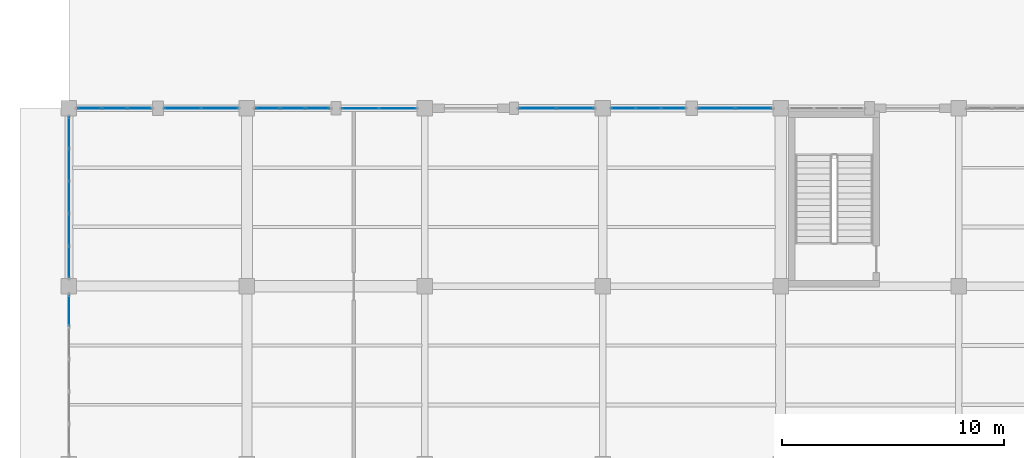
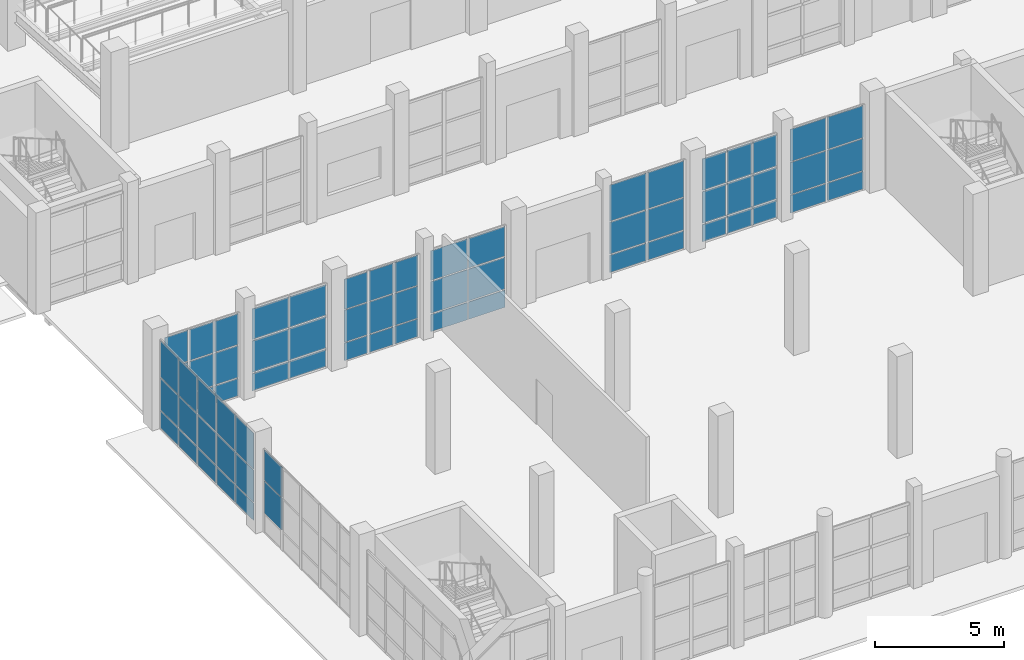
# One storey, part 103 of 156: 68 plates, 9 elements without a shape of their own.
"""IFC4 building model written with IfcOpenShell, lengths in metres."""

import ifcopenshell
import ifcopenshell.guid

model = None  # the IFC model being written
_history = None  # IfcOwnerHistory: only IFC2X3 demands one
_inside = {}  # id of a spatial element -> (the spatial element, [elements in it])
_under = {}  # id of a project, library or spatial element -> (it, [spatial elements below it])
_declared = {}  # id of a project -> (the project, [libraries it declares])
_typed = {}  # id of a type object -> (the type object, [elements of that type])
_made_of = {}  # id of a material, layer set ... -> (it, [elements and type objects made of it])


def new_model(schema):
    """Start an empty IFC model of exactly this schema.

    Asked for "IFC4X3", IfcOpenShell would pick the latest addendum, in which some entities
    have other attributes; the version numbers below select the first issue.
    IFC2X3 requires an IfcOwnerHistory on every rooted entity: one is made here for all.
    """
    global model, _history
    if schema == "IFC4X3":
        model = ifcopenshell.file(schema_version=(4, 3, 0, 0))
    else:
        model = ifcopenshell.file(schema=schema)
    _inside.clear()
    _under.clear()
    _declared.clear()
    _typed.clear()
    _made_of.clear()
    _history = None
    if model.schema == "IFC2X3":
        org = make("IfcOrganization", Name="unknown")
        user = make(
            "IfcPersonAndOrganization",
            ThePerson=make("IfcPerson", FamilyName="unknown"),
            TheOrganization=org,
        )
        app = make(
            "IfcApplication",
            ApplicationDeveloper=org,
            Version="unknown",
            ApplicationFullName="unknown",
            ApplicationIdentifier="unknown",
        )
        _history = make(
            "IfcOwnerHistory",
            OwningUser=user,
            OwningApplication=app,
            ChangeAction="ADDED",
            CreationDate=0,
        )
    return model


def make(cls, **values):
    """One entity of the class cls with the attributes given. An attribute that is None is left unset."""
    return model.create_entity(
        cls, **{name: value for name, value in values.items() if value is not None}
    )


def rooted(cls, **values):
    """An entity with a GlobalId (a new one), such as an element, a storey or a relation."""
    return make(cls, GlobalId=ifcopenshell.guid.new(), OwnerHistory=_history, **values)


def si_unit(unit_type, name, prefix=None):
    """IfcSIUnit, for example si_unit("LENGTHUNIT", "METRE", prefix="MILLI")."""
    return make("IfcSIUnit", UnitType=unit_type, Prefix=prefix, Name=name)


def assignment(units):
    """IfcUnitAssignment: the units of a project."""
    return None if units is None else make("IfcUnitAssignment", Units=units)


def point(xyz):
    """IfcCartesianPoint."""
    return None if xyz is None else make("IfcCartesianPoint", Coordinates=xyz)


def direction(xyz):
    """IfcDirection."""
    return None if xyz is None else make("IfcDirection", DirectionRatios=xyz)


def frame(location, z_axis=None, x_axis=None):
    """IfcAxis2Placement3D, a coordinate frame: its origin and axes. An axis left out is left unset."""
    return make(
        "IfcAxis2Placement3D",
        Location=point(location),
        Axis=direction(z_axis),
        RefDirection=direction(x_axis),
    )


def frame_2d(location, x_axis=None):
    """IfcAxis2Placement2D, a coordinate frame in the plane: its origin and x axis."""
    return make(
        "IfcAxis2Placement2D", Location=point(location), RefDirection=direction(x_axis)
    )


def origin():
    """The frame at (0, 0, 0) with its axes left unset."""
    return frame((0.0, 0.0, 0.0))


def origin_2d():
    """The frame at (0, 0) in the plane with its x axis left unset."""
    return frame_2d((0.0, 0.0))


def place(relative_to, where):
    """IfcLocalPlacement: puts the frame where relative to a parent placement (None: the world)."""
    return make(
        "IfcLocalPlacement", PlacementRelTo=relative_to, RelativePlacement=where
    )


def context(
    kind, dimensions, precision=None, world=None, true_north=None, identifier=None
):
    """IfcGeometricRepresentationContext, for example the 3D "Model" context."""
    return make(
        "IfcGeometricRepresentationContext",
        ContextIdentifier=identifier,
        ContextType=kind,
        CoordinateSpaceDimension=dimensions,
        Precision=precision,
        WorldCoordinateSystem=world,
        TrueNorth=true_north,
    )


def subcontext(parent, identifier, kind, view, scale=None):
    """IfcGeometricRepresentationSubContext, for example "Body" below "Model"."""
    return make(
        "IfcGeometricRepresentationSubContext",
        ContextIdentifier=identifier,
        ContextType=kind,
        ParentContext=parent,
        TargetScale=scale,
        TargetView=view,
    )


def project(units=None, contexts=None):
    """IfcProject with its units and contexts."""
    return rooted(
        "IfcProject",
        Name="project",
        RepresentationContexts=contexts,
        UnitsInContext=assignment(units),
    )


def spatial(cls, under=None, at=None, **own):
    """A site, building, storey or space (cls), placed at a placement, below another one or the project."""
    s = rooted(cls, ObjectPlacement=at, **own)
    if under is not None:
        _under.setdefault(under.id(), (under, []))[1].append(s)
    return s


def profile(cls, at=None, kind="AREA", **sizes):
    """A parametric profile (cls). Its sizes go by their IFC names, for example OverallWidth=200.0."""
    return make(cls, ProfileType=kind, Position=at, **sizes)


def rectangle(**sizes):
    """IfcRectangleProfileDef."""
    return profile("IfcRectangleProfileDef", **sizes)


def extrude(swept, where, along, depth):
    """IfcExtrudedAreaSolid: the profile swept, set in the frame where, extruded along a direction by depth."""
    return make(
        "IfcExtrudedAreaSolid",
        SweptArea=swept,
        Position=where,
        ExtrudedDirection=direction(along),
        Depth=depth,
    )


def shape(context_of_items, identifier, shape_type, items):
    """IfcShapeRepresentation: the items that make up one representation, for example the "Body"."""
    return make(
        "IfcShapeRepresentation",
        ContextOfItems=context_of_items,
        RepresentationIdentifier=identifier,
        RepresentationType=shape_type,
        Items=items,
    )


def material(Name=None, Category=None):
    """IfcMaterial."""
    return make("IfcMaterial", Name=Name, Category=Category)


def layer(
    of_material, thickness, ventilated=None, Name=None, Category=None, Priority=None
):
    """IfcMaterialLayer: one layer of a wall or slab, of a material (None: an air gap)."""
    return make(
        "IfcMaterialLayer",
        Material=of_material,
        LayerThickness=thickness,
        IsVentilated=ventilated,
        Name=Name,
        Category=Category,
        Priority=Priority,
    )


def layer_set(layers, Name=None):
    """IfcMaterialLayerSet."""
    return make("IfcMaterialLayerSet", MaterialLayers=layers, LayerSetName=Name)


def made_of(thing, what):
    """Note that an element or type object is made of a material, layer set ...; save() writes the relation."""
    if what is not None:
        _made_of.setdefault(what.id(), (what, []))[1].append(thing)
    return thing


def type_object(cls, material=None, **own):
    """A type object (cls), such as IfcWallType, which elements share."""
    return made_of(rooted(cls, **own), material)


def element(
    cls,
    number,
    at=None,
    inside=None,
    cuts=None,
    type_object=None,
    material=None,
    context=None,
    identifier="Body",
    shape_type=None,
    held_by="IfcProductDefinitionShape",
    body=None,
    shapes=None,
    **own,
):
    """One element of the class cls, such as IfcWall. Its Tag is "e" and its number.

    at: its placement. inside: the storey or other place that contains it. cuts: it is an
    opening in that element (IfcRelVoidsElement). A single representation is given by context,
    identifier, shape_type and body (its items); several are given by shapes. held_by: the class
    of the entity that holds the representations. save() writes the other relations.
    """
    e = rooted(cls, Tag="e%d" % number, ObjectPlacement=at, **own)
    if body is not None:
        shapes = [shape(context, identifier, shape_type, body)]
    if shapes is not None:
        e.Representation = make(held_by, Representations=shapes)
    if inside is not None:
        _inside.setdefault(inside.id(), (inside, []))[1].append(e)
    if cuts is not None:
        rooted(
            "IfcRelVoidsElement", RelatingBuildingElement=cuts, RelatedOpeningElement=e
        )
    if type_object is not None:
        _typed.setdefault(type_object.id(), (type_object, []))[1].append(e)
    return made_of(e, material)


def aggregate(whole, parts):
    """IfcRelAggregates: a whole, such as a stair, and the parts it consists of."""
    return rooted("IfcRelAggregates", RelatingObject=whole, RelatedObjects=parts)


def save(model, path):
    """Write the relations noted so far, then the file.

    IfcRelAggregates (storeys below a building ...), IfcRelContainedInSpatialStructure (elements
    in a storey), IfcRelDefinesByType, IfcRelAssociatesMaterial and IfcRelDeclares: one each for
    every whole, place, type object, material and project.
    """
    for whole, parts in _under.values():
        aggregate(whole, parts)
    for where, things in _inside.values():
        rooted(
            "IfcRelContainedInSpatialStructure",
            RelatedElements=things,
            RelatingStructure=where,
        )
    for kind, things in _typed.values():
        rooted("IfcRelDefinesByType", RelatedObjects=things, RelatingType=kind)
    for what, things in _made_of.values():
        rooted("IfcRelAssociatesMaterial", RelatedObjects=things, RelatingMaterial=what)
    for by, libraries in _declared.values():
        rooted("IfcRelDeclares", RelatingContext=by, RelatedDefinitions=libraries)
    model.write(path)


model = new_model("IFC4")

# Units and contexts
model_context = context("Model", 3, precision=1e-05, world=origin(), true_north=direction((0.0, 1.0)))
body_context = subcontext(model_context, "Body", "Model", "MODEL_VIEW")
ifc_project = project(units=[si_unit("LENGTHUNIT", "METRE"), si_unit("AREAUNIT", "SQUARE_METRE"), si_unit("VOLUMEUNIT", "CUBIC_METRE"), si_unit("PLANEANGLEUNIT", "RADIAN"), si_unit("MASSUNIT", "GRAM", prefix="KILO")], contexts=[model_context])

# Site, building, storey
site_placement = place(None, origin())
site = spatial("IfcSite", under=ifc_project, at=site_placement, CompositionType="ELEMENT")
building_placement = place(site_placement, origin())
building = spatial("IfcBuilding", under=site, at=building_placement, Name="Luwemba Playhouse", CompositionType="ELEMENT")
storey_placement = place(building_placement, origin())
storey = spatial("IfcBuildingStorey", under=building, at=storey_placement, Name="L00", CompositionType="ELEMENT", Elevation=0.0)

# Curtain wall, plates
ifc_material = material(Name="Solar-control double glazing", Category="glass")
curtain_wall_type_1 = type_object("IfcCurtainWallType", Name="CW-CW25", PredefinedType="USERDEFINED", material=ifc_material)
curtain_wall_1_placement = place(storey_placement, origin())
curtain_wall_1 = element("IfcCurtainWall", 1, at=curtain_wall_1_placement, inside=storey, type_object=curtain_wall_type_1, Name="L00 V5W unitised curtain wall 027", ObjectType="UNITISED GLAZING", PredefinedType="USERDEFINED")
ifc_layer_1 = layer(ifc_material, 0.02392578125)
ifc_layer_set_1 = layer_set([ifc_layer_1], Name="Solar-control double glazing")
plate_type_1 = type_object("IfcPlateType", Name="CWP-P1", PredefinedType="CURTAIN_PANEL", material=ifc_layer_set_1)
plate_1_placement = place(storey_placement, frame((4.0, 20.094970703125, 0.06005859375), z_axis=(0.0, 0.0, 1.0), x_axis=(0.0, 1.0, 0.0)))
plate_1 = element("IfcPlate", 2, at=plate_1_placement, type_object=plate_type_1, Name="CW25 panel 1.1", PredefinedType="CURTAIN_PANEL", context=body_context, shape_type="SweptSolid", body=[
    extrude(rectangle(XDim=1.3701171875, YDim=0.02392578125, at=origin_2d()), origin(), (0.0, 0.0, 1.0), 0.81005859375),
])
plate_2_placement = place(storey_placement, frame((4.0, 20.094970703125, 0.93017578125), z_axis=(0.0, 0.0, 1.0), x_axis=(0.0, 1.0, 0.0)))
plate_2 = element("IfcPlate", 3, at=plate_2_placement, type_object=plate_type_1, Name="CW25 panel 1.2", PredefinedType="CURTAIN_PANEL", context=body_context, shape_type="SweptSolid", body=[
    extrude(rectangle(XDim=1.3701171875, YDim=0.02392578125, at=origin_2d()), origin(), (0.0, 0.0, 1.0), 1.489990234375),
])
plate_3_placement = place(storey_placement, frame((4.0, 20.094970703125, 2.47998046875), z_axis=(0.0, 0.0, 1.0), x_axis=(0.0, 1.0, 0.0)))
plate_3 = element("IfcPlate", 4, at=plate_3_placement, type_object=plate_type_1, Name="CW25 panel 1.3", PredefinedType="CURTAIN_PANEL", context=body_context, shape_type="SweptSolid", body=[
    extrude(rectangle(XDim=1.3701171875, YDim=0.02392578125, at=origin_2d()), origin(), (0.0, 0.0, 1.0), 1.695068359375),
])
plate_4_placement = place(storey_placement, frame((4.0, 21.5400390625, 0.06005859375), z_axis=(0.0, 0.0, 1.0), x_axis=(0.0, 1.0, 0.0)))
plate_4 = element("IfcPlate", 5, at=plate_4_placement, type_object=plate_type_1, Name="CW25 panel 2.1", PredefinedType="CURTAIN_PANEL", context=body_context, shape_type="SweptSolid", body=[
    extrude(rectangle(XDim=1.39990234375, YDim=0.02392578125, at=origin_2d()), origin(), (0.0, 0.0, 1.0), 0.81005859375),
])
plate_5_placement = place(storey_placement, frame((4.0, 21.5400390625, 0.93017578125), z_axis=(0.0, 0.0, 1.0), x_axis=(0.0, 1.0, 0.0)))
plate_5 = element("IfcPlate", 6, at=plate_5_placement, type_object=plate_type_1, Name="CW25 panel 2.2", PredefinedType="CURTAIN_PANEL", context=body_context, shape_type="SweptSolid", body=[
    extrude(rectangle(XDim=1.39990234375, YDim=0.02392578125, at=origin_2d()), origin(), (0.0, 0.0, 1.0), 1.489990234375),
])
plate_6_placement = place(storey_placement, frame((4.0, 21.5400390625, 2.47998046875), z_axis=(0.0, 0.0, 1.0), x_axis=(0.0, 1.0, 0.0)))
plate_6 = element("IfcPlate", 7, at=plate_6_placement, type_object=plate_type_1, Name="CW25 panel 2.3", PredefinedType="CURTAIN_PANEL", context=body_context, shape_type="SweptSolid", body=[
    extrude(rectangle(XDim=1.39990234375, YDim=0.02392578125, at=origin_2d()), origin(), (0.0, 0.0, 1.0), 1.695068359375),
])
plate_7_placement = place(storey_placement, frame((4.0, 23.0, 0.06005859375), z_axis=(0.0, 0.0, 1.0), x_axis=(0.0, 1.0, 0.0)))
plate_7 = element("IfcPlate", 8, at=plate_7_placement, type_object=plate_type_1, Name="CW25 panel 3.1", PredefinedType="CURTAIN_PANEL", context=body_context, shape_type="SweptSolid", body=[
    extrude(rectangle(XDim=1.39990234375, YDim=0.02392578125, at=origin_2d()), origin(), (0.0, 0.0, 1.0), 0.81005859375),
])
plate_8_placement = place(storey_placement, frame((4.0, 23.0, 0.93017578125), z_axis=(0.0, 0.0, 1.0), x_axis=(0.0, 1.0, 0.0)))
plate_8 = element("IfcPlate", 9, at=plate_8_placement, type_object=plate_type_1, Name="CW25 panel 3.2", PredefinedType="CURTAIN_PANEL", context=body_context, shape_type="SweptSolid", body=[
    extrude(rectangle(XDim=1.39990234375, YDim=0.02392578125, at=origin_2d()), origin(), (0.0, 0.0, 1.0), 1.489990234375),
])
plate_9_placement = place(storey_placement, frame((4.0, 23.0, 2.47998046875), z_axis=(0.0, 0.0, 1.0), x_axis=(0.0, 1.0, 0.0)))
plate_9 = element("IfcPlate", 10, at=plate_9_placement, type_object=plate_type_1, Name="CW25 panel 3.3", PredefinedType="CURTAIN_PANEL", context=body_context, shape_type="SweptSolid", body=[
    extrude(rectangle(XDim=1.39990234375, YDim=0.02392578125, at=origin_2d()), origin(), (0.0, 0.0, 1.0), 1.695068359375),
])
plate_10_placement = place(storey_placement, frame((4.0, 24.4599609375, 0.06005859375), z_axis=(0.0, 0.0, 1.0), x_axis=(0.0, 1.0, 0.0)))
plate_10 = element("IfcPlate", 11, at=plate_10_placement, type_object=plate_type_1, Name="CW25 panel 4.1", PredefinedType="CURTAIN_PANEL", context=body_context, shape_type="SweptSolid", body=[
    extrude(rectangle(XDim=1.39990234375, YDim=0.02392578125, at=origin_2d()), origin(), (0.0, 0.0, 1.0), 0.81005859375),
])
plate_11_placement = place(storey_placement, frame((4.0, 24.4599609375, 0.93017578125), z_axis=(0.0, 0.0, 1.0), x_axis=(0.0, 1.0, 0.0)))
plate_11 = element("IfcPlate", 12, at=plate_11_placement, type_object=plate_type_1, Name="CW25 panel 4.2", PredefinedType="CURTAIN_PANEL", context=body_context, shape_type="SweptSolid", body=[
    extrude(rectangle(XDim=1.39990234375, YDim=0.02392578125, at=origin_2d()), origin(), (0.0, 0.0, 1.0), 1.489990234375),
])
plate_12_placement = place(storey_placement, frame((4.0, 24.4599609375, 2.47998046875), z_axis=(0.0, 0.0, 1.0), x_axis=(0.0, 1.0, 0.0)))
plate_12 = element("IfcPlate", 13, at=plate_12_placement, type_object=plate_type_1, Name="CW25 panel 4.3", PredefinedType="CURTAIN_PANEL", context=body_context, shape_type="SweptSolid", body=[
    extrude(rectangle(XDim=1.39990234375, YDim=0.02392578125, at=origin_2d()), origin(), (0.0, 0.0, 1.0), 1.695068359375),
])
plate_13_placement = place(storey_placement, frame((4.0, 25.905029296875, 0.06005859375), z_axis=(0.0, 0.0, 1.0), x_axis=(0.0, 1.0, 0.0)))
plate_13 = element("IfcPlate", 14, at=plate_13_placement, type_object=plate_type_1, Name="CW25 panel 5.1", PredefinedType="CURTAIN_PANEL", context=body_context, shape_type="SweptSolid", body=[
    extrude(rectangle(XDim=1.3701171875, YDim=0.02392578125, at=origin_2d()), origin(), (0.0, 0.0, 1.0), 0.81005859375),
])
plate_14_placement = place(storey_placement, frame((4.0, 25.905029296875, 0.93017578125), z_axis=(0.0, 0.0, 1.0), x_axis=(0.0, 1.0, 0.0)))
plate_14 = element("IfcPlate", 15, at=plate_14_placement, type_object=plate_type_1, Name="CW25 panel 5.2", PredefinedType="CURTAIN_PANEL", context=body_context, shape_type="SweptSolid", body=[
    extrude(rectangle(XDim=1.3701171875, YDim=0.02392578125, at=origin_2d()), origin(), (0.0, 0.0, 1.0), 1.489990234375),
])
plate_15_placement = place(storey_placement, frame((4.0, 25.905029296875, 2.47998046875), z_axis=(0.0, 0.0, 1.0), x_axis=(0.0, 1.0, 0.0)))
plate_15 = element("IfcPlate", 16, at=plate_15_placement, type_object=plate_type_1, Name="CW25 panel 5.3", PredefinedType="CURTAIN_PANEL", context=body_context, shape_type="SweptSolid", body=[
    extrude(rectangle(XDim=1.3701171875, YDim=0.02392578125, at=origin_2d()), origin(), (0.0, 0.0, 1.0), 1.695068359375),
])
aggregate(curtain_wall_1, [plate_1, plate_2, plate_3, plate_4, plate_5, plate_6, plate_7, plate_8, plate_9, plate_10, plate_11, plate_12, plate_13, plate_14, plate_15])

curtain_wall_type_2 = type_object("IfcCurtainWallType", Name="CW-CW28", PredefinedType="USERDEFINED", material=ifc_material)
curtain_wall_2_placement = place(storey_placement, origin())
curtain_wall_2 = element("IfcCurtainWall", 17, at=curtain_wall_2_placement, inside=storey, type_object=curtain_wall_type_2, Name="L00 V5W unitised curtain wall 031", ObjectType="UNITISED GLAZING", PredefinedType="USERDEFINED")
plate_16_placement = place(storey_placement, frame((17.09619140625, 27.0, 0.06005859375), z_axis=(0.0, 0.0, 1.0), x_axis=(1.0, 0.0, 0.0)))
plate_16 = element("IfcPlate", 18, at=plate_16_placement, type_object=plate_type_1, Name="CW28 panel 1.1", PredefinedType="CURTAIN_PANEL", context=body_context, shape_type="SweptSolid", body=[
    extrude(rectangle(XDim=1.62255859375, YDim=0.02392578125, at=origin_2d()), origin(), (0.0, 0.0, 1.0), 0.81005859375),
])
plate_17_placement = place(storey_placement, frame((17.09619140625, 27.0, 0.93017578125), z_axis=(0.0, 0.0, 1.0), x_axis=(1.0, 0.0, 0.0)))
plate_17 = element("IfcPlate", 19, at=plate_17_placement, type_object=plate_type_1, Name="CW28 panel 1.2", PredefinedType="CURTAIN_PANEL", context=body_context, shape_type="SweptSolid", body=[
    extrude(rectangle(XDim=1.62255859375, YDim=0.02392578125, at=origin_2d()), origin(), (0.0, 0.0, 1.0), 1.489990234375),
])
plate_18_placement = place(storey_placement, frame((17.09619140625, 27.0, 2.47998046875), z_axis=(0.0, 0.0, 1.0), x_axis=(1.0, 0.0, 0.0)))
plate_18 = element("IfcPlate", 20, at=plate_18_placement, type_object=plate_type_1, Name="CW28 panel 1.3", PredefinedType="CURTAIN_PANEL", context=body_context, shape_type="SweptSolid", body=[
    extrude(rectangle(XDim=1.62255859375, YDim=0.02392578125, at=origin_2d()), origin(), (0.0, 0.0, 1.0), 1.39501953125),
])
plate_19_placement = place(storey_placement, frame((18.77880859375, 27.0, 0.06005859375), z_axis=(0.0, 0.0, 1.0), x_axis=(1.0, 0.0, 0.0)))
plate_19 = element("IfcPlate", 21, at=plate_19_placement, type_object=plate_type_1, Name="CW28 panel 2.1", PredefinedType="CURTAIN_PANEL", context=body_context, shape_type="SweptSolid", body=[
    extrude(rectangle(XDim=1.62255859375, YDim=0.02392578125, at=origin_2d()), origin(), (0.0, 0.0, 1.0), 0.81005859375),
])
plate_20_placement = place(storey_placement, frame((18.77880859375, 27.0, 0.93017578125), z_axis=(0.0, 0.0, 1.0), x_axis=(1.0, 0.0, 0.0)))
plate_20 = element("IfcPlate", 22, at=plate_20_placement, type_object=plate_type_1, Name="CW28 panel 2.2", PredefinedType="CURTAIN_PANEL", context=body_context, shape_type="SweptSolid", body=[
    extrude(rectangle(XDim=1.62255859375, YDim=0.02392578125, at=origin_2d()), origin(), (0.0, 0.0, 1.0), 1.489990234375),
])
plate_21_placement = place(storey_placement, frame((18.77880859375, 27.0, 2.47998046875), z_axis=(0.0, 0.0, 1.0), x_axis=(1.0, 0.0, 0.0)))
plate_21 = element("IfcPlate", 23, at=plate_21_placement, type_object=plate_type_1, Name="CW28 panel 2.3", PredefinedType="CURTAIN_PANEL", context=body_context, shape_type="SweptSolid", body=[
    extrude(rectangle(XDim=1.62255859375, YDim=0.02392578125, at=origin_2d()), origin(), (0.0, 0.0, 1.0), 1.39501953125),
])
aggregate(curtain_wall_2, [plate_16, plate_17, plate_18, plate_19, plate_20, plate_21])

curtain_wall_type_3 = type_object("IfcCurtainWallType", Name="CW-CW26", PredefinedType="USERDEFINED", material=ifc_material)
curtain_wall_3_placement = place(storey_placement, origin())
curtain_wall_3 = element("IfcCurtainWall", 24, at=curtain_wall_3_placement, inside=storey, type_object=curtain_wall_type_3, Name="L00 V5W unitised curtain wall 028", ObjectType="UNITISED GLAZING", PredefinedType="USERDEFINED")
ifc_layer_2 = layer(ifc_material, 0.028076171875)
ifc_layer_set_2 = layer_set([ifc_layer_2], Name="Solar-control double glazing")
plate_type_2 = type_object("IfcPlateType", Name="CWP-P2", PredefinedType="CURTAIN_PANEL", material=ifc_layer_set_2)
plate_22_placement = place(storey_placement, frame((4.932861328125, 27.0, 0.05517578125), z_axis=(0.0, 0.0, 1.0), x_axis=(1.0, 0.0, 0.0)))
plate_22 = element("IfcPlate", 25, at=plate_22_placement, type_object=plate_type_2, Name="CW26 panel 1.1", PredefinedType="CURTAIN_PANEL", context=body_context, shape_type="SweptSolid", body=[
    extrude(rectangle(XDim=1.035888671875, YDim=0.028076171875, at=origin_2d()), origin(), (0.0, 0.0, 1.0), 0.8173828125),
])
plate_23_placement = place(storey_placement, frame((4.932861328125, 27.0, 0.927490234375), z_axis=(0.0, 0.0, 1.0), x_axis=(1.0, 0.0, 0.0)))
plate_23 = element("IfcPlate", 26, at=plate_23_placement, type_object=plate_type_2, Name="CW26 panel 1.2", PredefinedType="CURTAIN_PANEL", context=body_context, shape_type="SweptSolid", body=[
    extrude(rectangle(XDim=1.035888671875, YDim=0.028076171875, at=origin_2d()), origin(), (0.0, 0.0, 1.0), 1.4951171875),
])
plate_24_placement = place(storey_placement, frame((4.932861328125, 27.0, 2.4775390625), z_axis=(0.0, 0.0, 1.0), x_axis=(1.0, 0.0, 0.0)))
plate_24 = element("IfcPlate", 27, at=plate_24_placement, type_object=plate_type_2, Name="CW26 panel 1.3", PredefinedType="CURTAIN_PANEL", context=body_context, shape_type="SweptSolid", body=[
    extrude(rectangle(XDim=1.035888671875, YDim=0.028076171875, at=origin_2d()), origin(), (0.0, 0.0, 1.0), 1.452392578125),
])
plate_25_placement = place(storey_placement, frame((6.050048828125, 27.0, 0.05517578125), z_axis=(0.0, 0.0, 1.0), x_axis=(1.0, 0.0, 0.0)))
plate_25 = element("IfcPlate", 28, at=plate_25_placement, type_object=plate_type_2, Name="CW26 panel 2.1", PredefinedType="CURTAIN_PANEL", context=body_context, shape_type="SweptSolid", body=[
    extrude(rectangle(XDim=1.068359375, YDim=0.028076171875, at=origin_2d()), origin(), (0.0, 0.0, 1.0), 0.8173828125),
])
plate_26_placement = place(storey_placement, frame((6.050048828125, 27.0, 0.927490234375), z_axis=(0.0, 0.0, 1.0), x_axis=(1.0, 0.0, 0.0)))
plate_26 = element("IfcPlate", 29, at=plate_26_placement, type_object=plate_type_2, Name="CW26 panel 2.2", PredefinedType="CURTAIN_PANEL", context=body_context, shape_type="SweptSolid", body=[
    extrude(rectangle(XDim=1.068359375, YDim=0.028076171875, at=origin_2d()), origin(), (0.0, 0.0, 1.0), 1.4951171875),
])
plate_27_placement = place(storey_placement, frame((6.050048828125, 27.0, 2.4775390625), z_axis=(0.0, 0.0, 1.0), x_axis=(1.0, 0.0, 0.0)))
plate_27 = element("IfcPlate", 30, at=plate_27_placement, type_object=plate_type_2, Name="CW26 panel 2.3", PredefinedType="CURTAIN_PANEL", context=body_context, shape_type="SweptSolid", body=[
    extrude(rectangle(XDim=1.068359375, YDim=0.028076171875, at=origin_2d()), origin(), (0.0, 0.0, 1.0), 1.452392578125),
])
plate_28_placement = place(storey_placement, frame((7.1669921875, 27.0, 0.05517578125), z_axis=(0.0, 0.0, 1.0), x_axis=(1.0, 0.0, 0.0)))
plate_28 = element("IfcPlate", 31, at=plate_28_placement, type_object=plate_type_2, Name="CW26 panel 3.1", PredefinedType="CURTAIN_PANEL", context=body_context, shape_type="SweptSolid", body=[
    extrude(rectangle(XDim=1.035888671875, YDim=0.028076171875, at=origin_2d()), origin(), (0.0, 0.0, 1.0), 0.8173828125),
])
plate_29_placement = place(storey_placement, frame((7.1669921875, 27.0, 0.927490234375), z_axis=(0.0, 0.0, 1.0), x_axis=(1.0, 0.0, 0.0)))
plate_29 = element("IfcPlate", 32, at=plate_29_placement, type_object=plate_type_2, Name="CW26 panel 3.2", PredefinedType="CURTAIN_PANEL", context=body_context, shape_type="SweptSolid", body=[
    extrude(rectangle(XDim=1.035888671875, YDim=0.028076171875, at=origin_2d()), origin(), (0.0, 0.0, 1.0), 1.4951171875),
])
plate_30_placement = place(storey_placement, frame((7.1669921875, 27.0, 2.4775390625), z_axis=(0.0, 0.0, 1.0), x_axis=(1.0, 0.0, 0.0)))
plate_30 = element("IfcPlate", 33, at=plate_30_placement, type_object=plate_type_2, Name="CW26 panel 3.3", PredefinedType="CURTAIN_PANEL", context=body_context, shape_type="SweptSolid", body=[
    extrude(rectangle(XDim=1.035888671875, YDim=0.028076171875, at=origin_2d()), origin(), (0.0, 0.0, 1.0), 1.452392578125),
])
aggregate(curtain_wall_3, [plate_22, plate_23, plate_24, plate_25, plate_26, plate_27, plate_28, plate_29, plate_30])

curtain_wall_type_4 = type_object("IfcCurtainWallType", Name="CW-CW29", PredefinedType="USERDEFINED", material=ifc_material)
curtain_wall_4_placement = place(storey_placement, origin())
curtain_wall_4 = element("IfcCurtainWall", 34, at=curtain_wall_4_placement, inside=storey, type_object=curtain_wall_type_4, Name="L00 V5W unitised curtain wall 032", ObjectType="UNITISED GLAZING", PredefinedType="USERDEFINED")
plate_31_placement = place(storey_placement, frame((25.078857421875, 27.0, 0.05517578125), z_axis=(0.0, 0.0, 1.0), x_axis=(1.0, 0.0, 0.0)))
plate_31 = element("IfcPlate", 35, at=plate_31_placement, type_object=plate_type_2, Name="CW29 panel 1.1", PredefinedType="CURTAIN_PANEL", context=body_context, shape_type="SweptSolid", body=[
    extrude(rectangle(XDim=1.62744140625, YDim=0.028076171875, at=origin_2d()), origin(), (0.0, 0.0, 1.0), 0.8173828125),
])
plate_32_placement = place(storey_placement, frame((25.078857421875, 27.0, 0.927490234375), z_axis=(0.0, 0.0, 1.0), x_axis=(1.0, 0.0, 0.0)))
plate_32 = element("IfcPlate", 36, at=plate_32_placement, type_object=plate_type_2, Name="CW29 panel 1.2", PredefinedType="CURTAIN_PANEL", context=body_context, shape_type="SweptSolid", body=[
    extrude(rectangle(XDim=1.62744140625, YDim=0.028076171875, at=origin_2d()), origin(), (0.0, 0.0, 1.0), 1.4951171875),
])
plate_33_placement = place(storey_placement, frame((25.078857421875, 27.0, 2.4775390625), z_axis=(0.0, 0.0, 1.0), x_axis=(1.0, 0.0, 0.0)))
plate_33 = element("IfcPlate", 37, at=plate_33_placement, type_object=plate_type_2, Name="CW29 panel 1.3", PredefinedType="CURTAIN_PANEL", context=body_context, shape_type="SweptSolid", body=[
    extrude(rectangle(XDim=1.62744140625, YDim=0.028076171875, at=origin_2d()), origin(), (0.0, 0.0, 1.0), 1.702392578125),
])
plate_34_placement = place(storey_placement, frame((26.771240234375, 27.0, 0.05517578125), z_axis=(0.0, 0.0, 1.0), x_axis=(1.0, 0.0, 0.0)))
plate_34 = element("IfcPlate", 38, at=plate_34_placement, type_object=plate_type_2, Name="CW29 panel 2.1", PredefinedType="CURTAIN_PANEL", context=body_context, shape_type="SweptSolid", body=[
    extrude(rectangle(XDim=1.62744140625, YDim=0.028076171875, at=origin_2d()), origin(), (0.0, 0.0, 1.0), 0.8173828125),
])
plate_35_placement = place(storey_placement, frame((26.771240234375, 27.0, 0.927490234375), z_axis=(0.0, 0.0, 1.0), x_axis=(1.0, 0.0, 0.0)))
plate_35 = element("IfcPlate", 39, at=plate_35_placement, type_object=plate_type_2, Name="CW29 panel 2.2", PredefinedType="CURTAIN_PANEL", context=body_context, shape_type="SweptSolid", body=[
    extrude(rectangle(XDim=1.62744140625, YDim=0.028076171875, at=origin_2d()), origin(), (0.0, 0.0, 1.0), 1.4951171875),
])
plate_36_placement = place(storey_placement, frame((26.771240234375, 27.0, 2.4775390625), z_axis=(0.0, 0.0, 1.0), x_axis=(1.0, 0.0, 0.0)))
plate_36 = element("IfcPlate", 40, at=plate_36_placement, type_object=plate_type_2, Name="CW29 panel 2.3", PredefinedType="CURTAIN_PANEL", context=body_context, shape_type="SweptSolid", body=[
    extrude(rectangle(XDim=1.62744140625, YDim=0.028076171875, at=origin_2d()), origin(), (0.0, 0.0, 1.0), 1.702392578125),
])
aggregate(curtain_wall_4, [plate_31, plate_32, plate_33, plate_34, plate_35, plate_36])

curtain_wall_type_5 = type_object("IfcCurtainWallType", Name="CW-CW27", PredefinedType="USERDEFINED", material=ifc_material)
curtain_wall_5_placement = place(storey_placement, origin())
curtain_wall_5 = element("IfcCurtainWall", 41, at=curtain_wall_5_placement, inside=storey, type_object=curtain_wall_type_5, Name="L00 V5W unitised curtain wall 029", ObjectType="UNITISED GLAZING", PredefinedType="USERDEFINED")
ifc_layer_3 = layer(ifc_material, 0.031982421875)
ifc_layer_set_3 = layer_set([ifc_layer_3], Name="Solar-control double glazing")
plate_type_3 = type_object("IfcPlateType", Name="CWP-P3", PredefinedType="CURTAIN_PANEL", material=ifc_layer_set_3)
plate_37_placement = place(storey_placement, frame((9.11376953125, 27.0, 0.06494140625), z_axis=(0.0, 0.0, 1.0), x_axis=(1.0, 0.0, 0.0)))
plate_37 = element("IfcPlate", 42, at=plate_37_placement, type_object=plate_type_3, Name="CW27 panel 1.1", PredefinedType="CURTAIN_PANEL", context=body_context, shape_type="SweptSolid", body=[
    extrude(rectangle(XDim=1.617431640625, YDim=0.031982421875, at=origin_2d()), origin(), (0.0, 0.0, 1.0), 0.802490234375),
])
plate_38_placement = place(storey_placement, frame((9.11376953125, 27.0, 0.9326171875), z_axis=(0.0, 0.0, 1.0), x_axis=(1.0, 0.0, 0.0)))
plate_38 = element("IfcPlate", 43, at=plate_38_placement, type_object=plate_type_3, Name="CW27 panel 1.2", PredefinedType="CURTAIN_PANEL", context=body_context, shape_type="SweptSolid", body=[
    extrude(rectangle(XDim=1.617431640625, YDim=0.031982421875, at=origin_2d()), origin(), (0.0, 0.0, 1.0), 1.485107421875),
])
plate_39_placement = place(storey_placement, frame((9.11376953125, 27.0, 2.482421875), z_axis=(0.0, 0.0, 1.0), x_axis=(1.0, 0.0, 0.0)))
plate_39 = element("IfcPlate", 44, at=plate_39_placement, type_object=plate_type_3, Name="CW27 panel 1.3", PredefinedType="CURTAIN_PANEL", context=body_context, shape_type="SweptSolid", body=[
    extrude(rectangle(XDim=1.617431640625, YDim=0.031982421875, at=origin_2d()), origin(), (0.0, 0.0, 1.0), 1.4375),
])
plate_40_placement = place(storey_placement, frame((10.7861328125, 27.0, 0.06494140625), z_axis=(0.0, 0.0, 1.0), x_axis=(1.0, 0.0, 0.0)))
plate_40 = element("IfcPlate", 45, at=plate_40_placement, type_object=plate_type_3, Name="CW27 panel 2.1", PredefinedType="CURTAIN_PANEL", context=body_context, shape_type="SweptSolid", body=[
    extrude(rectangle(XDim=1.617431640625, YDim=0.031982421875, at=origin_2d()), origin(), (0.0, 0.0, 1.0), 0.802490234375),
])
plate_41_placement = place(storey_placement, frame((10.7861328125, 27.0, 0.9326171875), z_axis=(0.0, 0.0, 1.0), x_axis=(1.0, 0.0, 0.0)))
plate_41 = element("IfcPlate", 46, at=plate_41_placement, type_object=plate_type_3, Name="CW27 panel 2.2", PredefinedType="CURTAIN_PANEL", context=body_context, shape_type="SweptSolid", body=[
    extrude(rectangle(XDim=1.617431640625, YDim=0.031982421875, at=origin_2d()), origin(), (0.0, 0.0, 1.0), 1.485107421875),
])
plate_42_placement = place(storey_placement, frame((10.7861328125, 27.0, 2.482421875), z_axis=(0.0, 0.0, 1.0), x_axis=(1.0, 0.0, 0.0)))
plate_42 = element("IfcPlate", 47, at=plate_42_placement, type_object=plate_type_3, Name="CW27 panel 2.3", PredefinedType="CURTAIN_PANEL", context=body_context, shape_type="SweptSolid", body=[
    extrude(rectangle(XDim=1.617431640625, YDim=0.031982421875, at=origin_2d()), origin(), (0.0, 0.0, 1.0), 1.4375),
])
aggregate(curtain_wall_5, [plate_37, plate_38, plate_39, plate_40, plate_41, plate_42])

curtain_wall_type_6 = type_object("IfcCurtainWallType", Name="CW-CW30", PredefinedType="USERDEFINED", material=ifc_material)
curtain_wall_6_placement = place(storey_placement, origin())
curtain_wall_6 = element("IfcCurtainWall", 48, at=curtain_wall_6_placement, inside=storey, type_object=curtain_wall_type_6, Name="L00 V5W unitised curtain wall 033", ObjectType="UNITISED GLAZING", PredefinedType="USERDEFINED")
plate_43_placement = place(storey_placement, frame((28.930419921875, 27.0, 0.06494140625), z_axis=(0.0, 0.0, 1.0), x_axis=(1.0, 0.0, 0.0)))
plate_43 = element("IfcPlate", 49, at=plate_43_placement, type_object=plate_type_3, Name="CW30 panel 1.1", PredefinedType="CURTAIN_PANEL", context=body_context, shape_type="SweptSolid", body=[
    extrude(rectangle(XDim=1.05078125, YDim=0.031982421875, at=origin_2d()), origin(), (0.0, 0.0, 1.0), 0.802490234375),
])
plate_44_placement = place(storey_placement, frame((28.930419921875, 27.0, 0.9326171875), z_axis=(0.0, 0.0, 1.0), x_axis=(1.0, 0.0, 0.0)))
plate_44 = element("IfcPlate", 50, at=plate_44_placement, type_object=plate_type_3, Name="CW30 panel 1.2", PredefinedType="CURTAIN_PANEL", context=body_context, shape_type="SweptSolid", body=[
    extrude(rectangle(XDim=1.05078125, YDim=0.031982421875, at=origin_2d()), origin(), (0.0, 0.0, 1.0), 1.485107421875),
])
plate_45_placement = place(storey_placement, frame((28.930419921875, 27.0, 2.482421875), z_axis=(0.0, 0.0, 1.0), x_axis=(1.0, 0.0, 0.0)))
plate_45 = element("IfcPlate", 51, at=plate_45_placement, type_object=plate_type_3, Name="CW30 panel 1.3", PredefinedType="CURTAIN_PANEL", context=body_context, shape_type="SweptSolid", body=[
    extrude(rectangle(XDim=1.05078125, YDim=0.031982421875, at=origin_2d()), origin(), (0.0, 0.0, 1.0), 1.487548828125),
])
plate_46_placement = place(storey_placement, frame((30.050048828125, 27.0, 0.06494140625), z_axis=(0.0, 0.0, 1.0), x_axis=(1.0, 0.0, 0.0)))
plate_46 = element("IfcPlate", 52, at=plate_46_placement, type_object=plate_type_3, Name="CW30 panel 2.1", PredefinedType="CURTAIN_PANEL", context=body_context, shape_type="SweptSolid", body=[
    extrude(rectangle(XDim=1.078369140625, YDim=0.031982421875, at=origin_2d()), origin(), (0.0, 0.0, 1.0), 0.802490234375),
])
plate_47_placement = place(storey_placement, frame((30.050048828125, 27.0, 0.9326171875), z_axis=(0.0, 0.0, 1.0), x_axis=(1.0, 0.0, 0.0)))
plate_47 = element("IfcPlate", 53, at=plate_47_placement, type_object=plate_type_3, Name="CW30 panel 2.2", PredefinedType="CURTAIN_PANEL", context=body_context, shape_type="SweptSolid", body=[
    extrude(rectangle(XDim=1.078369140625, YDim=0.031982421875, at=origin_2d()), origin(), (0.0, 0.0, 1.0), 1.485107421875),
])
plate_48_placement = place(storey_placement, frame((30.050048828125, 27.0, 2.482421875), z_axis=(0.0, 0.0, 1.0), x_axis=(1.0, 0.0, 0.0)))
plate_48 = element("IfcPlate", 54, at=plate_48_placement, type_object=plate_type_3, Name="CW30 panel 2.3", PredefinedType="CURTAIN_PANEL", context=body_context, shape_type="SweptSolid", body=[
    extrude(rectangle(XDim=1.078369140625, YDim=0.031982421875, at=origin_2d()), origin(), (0.0, 0.0, 1.0), 1.487548828125),
])
plate_49_placement = place(storey_placement, frame((31.169677734375, 27.0, 0.06494140625), z_axis=(0.0, 0.0, 1.0), x_axis=(1.0, 0.0, 0.0)))
plate_49 = element("IfcPlate", 55, at=plate_49_placement, type_object=plate_type_3, Name="CW30 panel 3.1", PredefinedType="CURTAIN_PANEL", context=body_context, shape_type="SweptSolid", body=[
    extrude(rectangle(XDim=1.05078125, YDim=0.031982421875, at=origin_2d()), origin(), (0.0, 0.0, 1.0), 0.802490234375),
])
plate_50_placement = place(storey_placement, frame((31.169677734375, 27.0, 0.9326171875), z_axis=(0.0, 0.0, 1.0), x_axis=(1.0, 0.0, 0.0)))
plate_50 = element("IfcPlate", 56, at=plate_50_placement, type_object=plate_type_3, Name="CW30 panel 3.2", PredefinedType="CURTAIN_PANEL", context=body_context, shape_type="SweptSolid", body=[
    extrude(rectangle(XDim=1.05078125, YDim=0.031982421875, at=origin_2d()), origin(), (0.0, 0.0, 1.0), 1.485107421875),
])
plate_51_placement = place(storey_placement, frame((31.169677734375, 27.0, 2.482421875), z_axis=(0.0, 0.0, 1.0), x_axis=(1.0, 0.0, 0.0)))
plate_51 = element("IfcPlate", 57, at=plate_51_placement, type_object=plate_type_3, Name="CW30 panel 3.3", PredefinedType="CURTAIN_PANEL", context=body_context, shape_type="SweptSolid", body=[
    extrude(rectangle(XDim=1.05078125, YDim=0.031982421875, at=origin_2d()), origin(), (0.0, 0.0, 1.0), 1.487548828125),
])
aggregate(curtain_wall_6, [plate_43, plate_44, plate_45, plate_46, plate_47, plate_48, plate_49, plate_50, plate_51])

curtain_wall_type_7 = type_object("IfcCurtainWallType", Name="CW-CW24", PredefinedType="USERDEFINED", material=ifc_material)
curtain_wall_7_placement = place(storey_placement, origin())
curtain_wall_7 = element("IfcCurtainWall", 58, at=curtain_wall_7_placement, inside=storey, type_object=curtain_wall_type_7, Name="L00 V5W unitised curtain wall 026", ObjectType="UNITISED GLAZING", PredefinedType="USERDEFINED")
ifc_layer_4 = layer(ifc_material, 0.035888671875)
ifc_layer_set_4 = layer_set([ifc_layer_4], Name="Solar-control double glazing")
plate_type_4 = type_object("IfcPlateType", Name="CWP-P4", PredefinedType="CURTAIN_PANEL", material=ifc_layer_set_4)
plate_52_placement = place(storey_placement, frame((4.0, 17.902587890625, 0.925048828125), z_axis=(0.0, 0.0, 1.0), x_axis=(0.0, 1.0, 0.0)))
plate_52 = element("IfcPlate", 59, at=plate_52_placement, type_object=plate_type_4, Name="CW24 panel 5.2", PredefinedType="CURTAIN_PANEL", context=body_context, shape_type="SweptSolid", body=[
    extrude(rectangle(XDim=1.35498046875, YDim=0.035888671875, at=origin_2d()), origin(), (0.0, 0.0, 1.0), 1.5),
])
plate_53_placement = place(storey_placement, frame((4.0, 17.902587890625, 2.47509765625), z_axis=(0.0, 0.0, 1.0), x_axis=(0.0, 1.0, 0.0)))
plate_53 = element("IfcPlate", 60, at=plate_53_placement, type_object=plate_type_4, Name="CW24 panel 5.3", PredefinedType="CURTAIN_PANEL", context=body_context, shape_type="SweptSolid", body=[
    extrude(rectangle(XDim=1.35498046875, YDim=0.035888671875, at=origin_2d()), origin(), (0.0, 0.0, 1.0), 1.409912109375),
])
aggregate(curtain_wall_7, [plate_52, plate_53])

curtain_wall_type_8 = type_object("IfcCurtainWallType", Name="CW-CW10", PredefinedType="USERDEFINED", material=ifc_material)
curtain_wall_8_placement = place(storey_placement, origin())
curtain_wall_8 = element("IfcCurtainWall", 61, at=curtain_wall_8_placement, inside=storey, type_object=curtain_wall_type_8, Name="L00 V5W unitised curtain wall 030", ObjectType="UNITISED GLAZING", PredefinedType="USERDEFINED")
plate_54_placement = place(storey_placement, frame((12.938232421875, 27.0, 0.0498046875), z_axis=(0.0, 0.0, 1.0), x_axis=(1.0, 0.0, 0.0)))
plate_54 = element("IfcPlate", 62, at=plate_54_placement, type_object=plate_type_4, Name="CW10 panel 1.1", PredefinedType="CURTAIN_PANEL", context=body_context, shape_type="SweptSolid", body=[
    extrude(rectangle(XDim=1.03662109375, YDim=0.035888671875, at=origin_2d()), origin(), (0.0, 0.0, 1.0), 0.824951171875),
])
plate_55_placement = place(storey_placement, frame((12.938232421875, 27.0, 0.925048828125), z_axis=(0.0, 0.0, 1.0), x_axis=(1.0, 0.0, 0.0)))
plate_55 = element("IfcPlate", 63, at=plate_55_placement, type_object=plate_type_4, Name="CW10 panel 1.2", PredefinedType="CURTAIN_PANEL", context=body_context, shape_type="SweptSolid", body=[
    extrude(rectangle(XDim=1.03662109375, YDim=0.035888671875, at=origin_2d()), origin(), (0.0, 0.0, 1.0), 1.5),
])
plate_56_placement = place(storey_placement, frame((12.938232421875, 27.0, 2.47509765625), z_axis=(0.0, 0.0, 1.0), x_axis=(1.0, 0.0, 0.0)))
plate_56 = element("IfcPlate", 64, at=plate_56_placement, type_object=plate_type_4, Name="CW10 panel 1.3", PredefinedType="CURTAIN_PANEL", context=body_context, shape_type="SweptSolid", body=[
    extrude(rectangle(XDim=1.03662109375, YDim=0.035888671875, at=origin_2d()), origin(), (0.0, 0.0, 1.0), 1.409912109375),
])
plate_57_placement = place(storey_placement, frame((14.0625, 27.0, 0.0498046875), z_axis=(0.0, 0.0, 1.0), x_axis=(1.0, 0.0, 0.0)))
plate_57 = element("IfcPlate", 65, at=plate_57_placement, type_object=plate_type_4, Name="CW10 panel 2.1", PredefinedType="CURTAIN_PANEL", context=body_context, shape_type="SweptSolid", body=[
    extrude(rectangle(XDim=1.07177734375, YDim=0.035888671875, at=origin_2d()), origin(), (0.0, 0.0, 1.0), 0.824951171875),
])
plate_58_placement = place(storey_placement, frame((14.0625, 27.0, 0.925048828125), z_axis=(0.0, 0.0, 1.0), x_axis=(1.0, 0.0, 0.0)))
plate_58 = element("IfcPlate", 66, at=plate_58_placement, type_object=plate_type_4, Name="CW10 panel 2.2", PredefinedType="CURTAIN_PANEL", context=body_context, shape_type="SweptSolid", body=[
    extrude(rectangle(XDim=1.07177734375, YDim=0.035888671875, at=origin_2d()), origin(), (0.0, 0.0, 1.0), 1.5),
])
plate_59_placement = place(storey_placement, frame((14.0625, 27.0, 2.47509765625), z_axis=(0.0, 0.0, 1.0), x_axis=(1.0, 0.0, 0.0)))
plate_59 = element("IfcPlate", 67, at=plate_59_placement, type_object=plate_type_4, Name="CW10 panel 2.3", PredefinedType="CURTAIN_PANEL", context=body_context, shape_type="SweptSolid", body=[
    extrude(rectangle(XDim=1.07177734375, YDim=0.035888671875, at=origin_2d()), origin(), (0.0, 0.0, 1.0), 1.409912109375),
])
plate_60_placement = place(storey_placement, frame((15.186767578125, 27.0, 0.0498046875), z_axis=(0.0, 0.0, 1.0), x_axis=(1.0, 0.0, 0.0)))
plate_60 = element("IfcPlate", 68, at=plate_60_placement, type_object=plate_type_4, Name="CW10 panel 3.1", PredefinedType="CURTAIN_PANEL", context=body_context, shape_type="SweptSolid", body=[
    extrude(rectangle(XDim=1.03662109375, YDim=0.035888671875, at=origin_2d()), origin(), (0.0, 0.0, 1.0), 0.824951171875),
])
plate_61_placement = place(storey_placement, frame((15.186767578125, 27.0, 0.925048828125), z_axis=(0.0, 0.0, 1.0), x_axis=(1.0, 0.0, 0.0)))
plate_61 = element("IfcPlate", 69, at=plate_61_placement, type_object=plate_type_4, Name="CW10 panel 3.2", PredefinedType="CURTAIN_PANEL", context=body_context, shape_type="SweptSolid", body=[
    extrude(rectangle(XDim=1.03662109375, YDim=0.035888671875, at=origin_2d()), origin(), (0.0, 0.0, 1.0), 1.5),
])
plate_62_placement = place(storey_placement, frame((15.186767578125, 27.0, 2.47509765625), z_axis=(0.0, 0.0, 1.0), x_axis=(1.0, 0.0, 0.0)))
plate_62 = element("IfcPlate", 70, at=plate_62_placement, type_object=plate_type_4, Name="CW10 panel 3.3", PredefinedType="CURTAIN_PANEL", context=body_context, shape_type="SweptSolid", body=[
    extrude(rectangle(XDim=1.03662109375, YDim=0.035888671875, at=origin_2d()), origin(), (0.0, 0.0, 1.0), 1.409912109375),
])
aggregate(curtain_wall_8, [plate_54, plate_55, plate_56, plate_57, plate_58, plate_59, plate_60, plate_61, plate_62])

curtain_wall_type_9 = type_object("IfcCurtainWallType", Name="CW-CW31", PredefinedType="USERDEFINED", material=ifc_material)
curtain_wall_9_placement = place(storey_placement, origin())
curtain_wall_9 = element("IfcCurtainWall", 71, at=curtain_wall_9_placement, inside=storey, type_object=curtain_wall_type_9, Name="L00 V5W unitised curtain wall 034", ObjectType="UNITISED GLAZING", PredefinedType="USERDEFINED")
plate_63_placement = place(storey_placement, frame((33.117431640625, 27.0, 0.0498046875), z_axis=(0.0, 0.0, 1.0), x_axis=(1.0, 0.0, 0.0)))
plate_63 = element("IfcPlate", 72, at=plate_63_placement, type_object=plate_type_4, Name="CW31 panel 1.1", PredefinedType="CURTAIN_PANEL", context=body_context, shape_type="SweptSolid", body=[
    extrude(rectangle(XDim=1.594970703125, YDim=0.035888671875, at=origin_2d()), origin(), (0.0, 0.0, 1.0), 0.824951171875),
])
plate_64_placement = place(storey_placement, frame((33.117431640625, 27.0, 0.925048828125), z_axis=(0.0, 0.0, 1.0), x_axis=(1.0, 0.0, 0.0)))
plate_64 = element("IfcPlate", 73, at=plate_64_placement, type_object=plate_type_4, Name="CW31 panel 1.2", PredefinedType="CURTAIN_PANEL", context=body_context, shape_type="SweptSolid", body=[
    extrude(rectangle(XDim=1.594970703125, YDim=0.035888671875, at=origin_2d()), origin(), (0.0, 0.0, 1.0), 1.5),
])
plate_65_placement = place(storey_placement, frame((33.117431640625, 27.0, 2.47509765625), z_axis=(0.0, 0.0, 1.0), x_axis=(1.0, 0.0, 0.0)))
plate_65 = element("IfcPlate", 74, at=plate_65_placement, type_object=plate_type_4, Name="CW31 panel 1.3", PredefinedType="CURTAIN_PANEL", context=body_context, shape_type="SweptSolid", body=[
    extrude(rectangle(XDim=1.594970703125, YDim=0.035888671875, at=origin_2d()), origin(), (0.0, 0.0, 1.0), 1.510009765625),
])
plate_66_placement = place(storey_placement, frame((34.782470703125, 27.0, 0.0498046875), z_axis=(0.0, 0.0, 1.0), x_axis=(1.0, 0.0, 0.0)))
plate_66 = element("IfcPlate", 75, at=plate_66_placement, type_object=plate_type_4, Name="CW31 panel 2.1", PredefinedType="CURTAIN_PANEL", context=body_context, shape_type="SweptSolid", body=[
    extrude(rectangle(XDim=1.594970703125, YDim=0.035888671875, at=origin_2d()), origin(), (0.0, 0.0, 1.0), 0.824951171875),
])
plate_67_placement = place(storey_placement, frame((34.782470703125, 27.0, 0.925048828125), z_axis=(0.0, 0.0, 1.0), x_axis=(1.0, 0.0, 0.0)))
plate_67 = element("IfcPlate", 76, at=plate_67_placement, type_object=plate_type_4, Name="CW31 panel 2.2", PredefinedType="CURTAIN_PANEL", context=body_context, shape_type="SweptSolid", body=[
    extrude(rectangle(XDim=1.594970703125, YDim=0.035888671875, at=origin_2d()), origin(), (0.0, 0.0, 1.0), 1.5),
])
plate_68_placement = place(storey_placement, frame((34.782470703125, 27.0, 2.47509765625), z_axis=(0.0, 0.0, 1.0), x_axis=(1.0, 0.0, 0.0)))
plate_68 = element("IfcPlate", 77, at=plate_68_placement, type_object=plate_type_4, Name="CW31 panel 2.3", PredefinedType="CURTAIN_PANEL", context=body_context, shape_type="SweptSolid", body=[
    extrude(rectangle(XDim=1.594970703125, YDim=0.035888671875, at=origin_2d()), origin(), (0.0, 0.0, 1.0), 1.510009765625),
])
aggregate(curtain_wall_9, [plate_63, plate_64, plate_65, plate_66, plate_67, plate_68])

save(model, "model.ifc")
